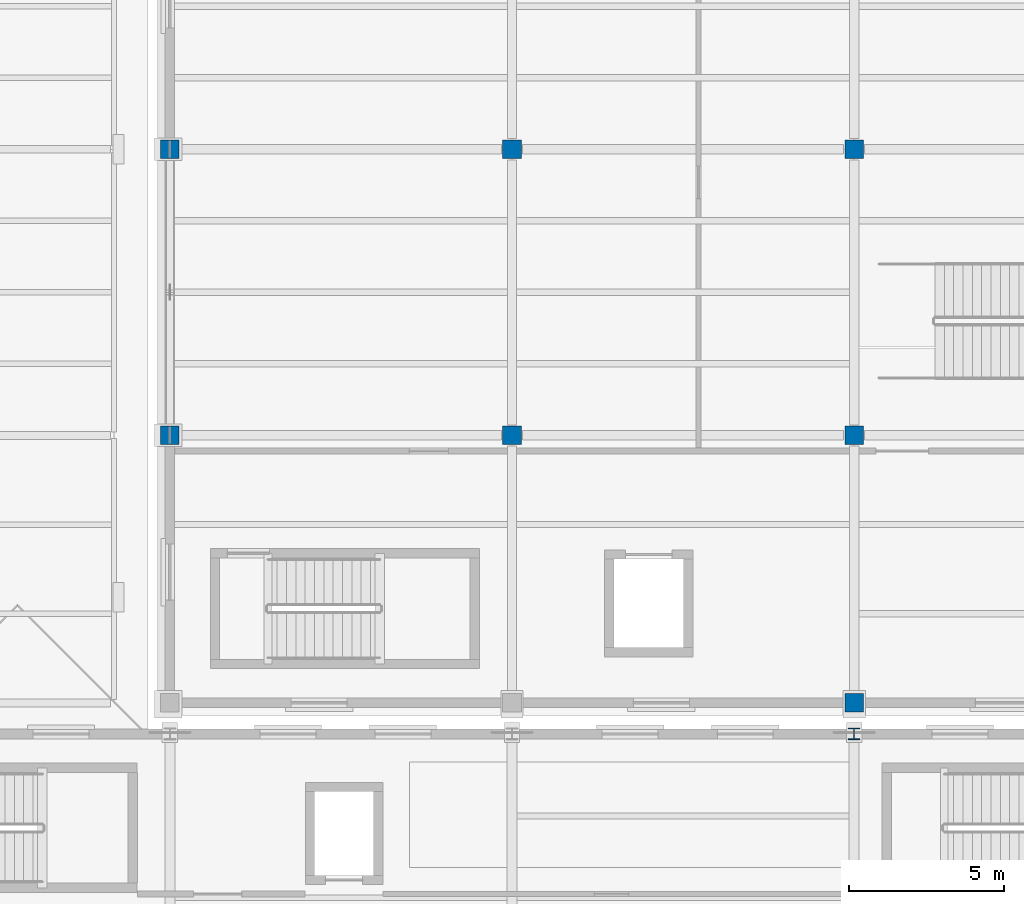
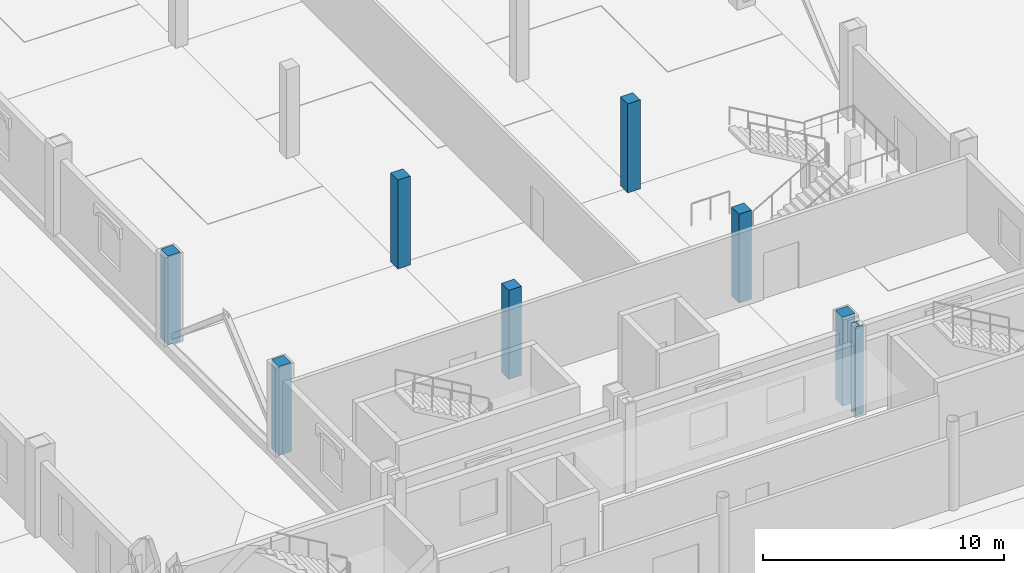
# One storey, part 8 of 156: 8 columns.
"""IFC4 building model written with IfcOpenShell, lengths in metres."""

from ifc_helpers import new_model, si_unit, direction, frame, origin, origin_2d, place, context, subcontext, project, spatial, rectangle, i_section, extrude, material, material_profile, profile_set, type_object, element, save


model = new_model("IFC4")

# Units and contexts
model_context = context("Model", 3, precision=1e-05, world=origin(), true_north=direction((0.0, 1.0)))
body_context = subcontext(model_context, "Body", "Model", "MODEL_VIEW")
ifc_project = project(units=[si_unit("LENGTHUNIT", "METRE"), si_unit("AREAUNIT", "SQUARE_METRE"), si_unit("VOLUMEUNIT", "CUBIC_METRE"), si_unit("PLANEANGLEUNIT", "RADIAN"), si_unit("MASSUNIT", "GRAM", prefix="KILO")], contexts=[model_context])

# Site, building, storey
site_placement = place(None, origin())
site = spatial("IfcSite", under=ifc_project, at=site_placement, CompositionType="ELEMENT")
building_placement = place(site_placement, origin())
building = spatial("IfcBuilding", under=site, at=building_placement, Name="Caurita Quay Ferry Terminal", CompositionType="ELEMENT")
storey_placement = place(building_placement, frame((0.0, 0.0, 5.39990234375)))
storey = spatial("IfcBuildingStorey", under=building, at=storey_placement, Name="L01", CompositionType="ELEMENT", Elevation=5.39990234375)

# Columns
ifc_material_1 = material(Name="Reinforced concrete C35/45", Category="concrete")
ifc_material_profile_1 = material_profile(ifc_material_1, rectangle(XDim=0.60009765625, YDim=0.60009765625, at=origin_2d()), Name="RC-COL-600X600")
ifc_profile_set_1 = profile_set([ifc_material_profile_1], Name="Reinforced concrete C35/45")
column_type_1 = type_object("IfcColumnType", Name="COL-RC-600", PredefinedType="COLUMN", material=ifc_profile_set_1)
for number, where, z_axis, x_axis, name in (
    (1, (99.199951171875, 80.199951171875, 0.0), (0.0, 0.0, 1.0), (1.0, 0.0, 0.0), "L01 Column V4-11-M"),
    (2, (99.199951171875, 89.39990234375, 0.0), (0.0, 0.0, 1.0), (1.0, 0.0, 0.0), "L01 Column V4-11-N"),
    (3, (110.199951171875, 80.199951171875, 0.0), (0.0, 0.0, 1.0), (1.0, 0.0, 0.0), "L01 Column V4-12-M"),
    (4, (110.199951171875, 89.39990234375, 0.0), (0.0, 0.0, 1.0), (1.0, 0.0, 0.0), "L01 Column V4-12-N"),
    (5, (121.199951171875, 71.60009765625, 0.0), (0.0, 0.0, 1.0), (1.0, 0.0, 0.0), "L01 Column V4-13-L"),
    (6, (121.199951171875, 80.199951171875, 0.0), (0.0, 0.0, 1.0), (1.0, 0.0, 0.0), "L01 Column V4-13-M"),
    (7, (121.199951171875, 89.39990234375, 0.0), (0.0, 0.0, 1.0), (1.0, 0.0, 0.0), "L01 Column V4-13-N"),
):
    element("IfcColumn", number, at=place(storey_placement, frame(where, z_axis=z_axis, x_axis=x_axis)), inside=storey, type_object=column_type_1, Name=name, PredefinedType="COLUMN", context=body_context, shape_type="SweptSolid", body=[
        extrude(rectangle(XDim=0.60009765625, YDim=0.60009765625, at=origin_2d()), origin(), (0.0, 0.0, 1.0), 4.5),
    ])
ifc_material_2 = material(Name="Structural steel ASTM A992 Gr. 50", Category="steel")
ifc_material_profile_2 = material_profile(ifc_material_2, i_section(OverallWidth=0.373046875, OverallDepth=0.367919921875, WebThickness=0.014892578125, FlangeThickness=0.02392578125, at=origin_2d()), Name="W14X120")
ifc_profile_set_2 = profile_set([ifc_material_profile_2], Name="Structural steel ASTM A992 Gr. 50")
column_type_2 = type_object("IfcColumnType", Name="COL-STL-07", PredefinedType="COLUMN", material=ifc_profile_set_2)
column_placement = place(storey_placement, frame((121.199951171875, 70.60009765625, 0.0), z_axis=(0.0, 0.0, 1.0), x_axis=(1.0, 0.0, 0.0)))
element("IfcColumn", 8, at=column_placement, inside=storey, type_object=column_type_2, Name="L01 Column V2-NTH-13-K", PredefinedType="COLUMN", context=body_context, shape_type="SweptSolid", body=[
    extrude(i_section(OverallWidth=0.373046875, OverallDepth=0.367919921875, WebThickness=0.014892578125, FlangeThickness=0.02392578125, at=origin_2d()), origin(), (0.0, 0.0, 1.0), 4.5),
])

save(model, "model.ifc")
